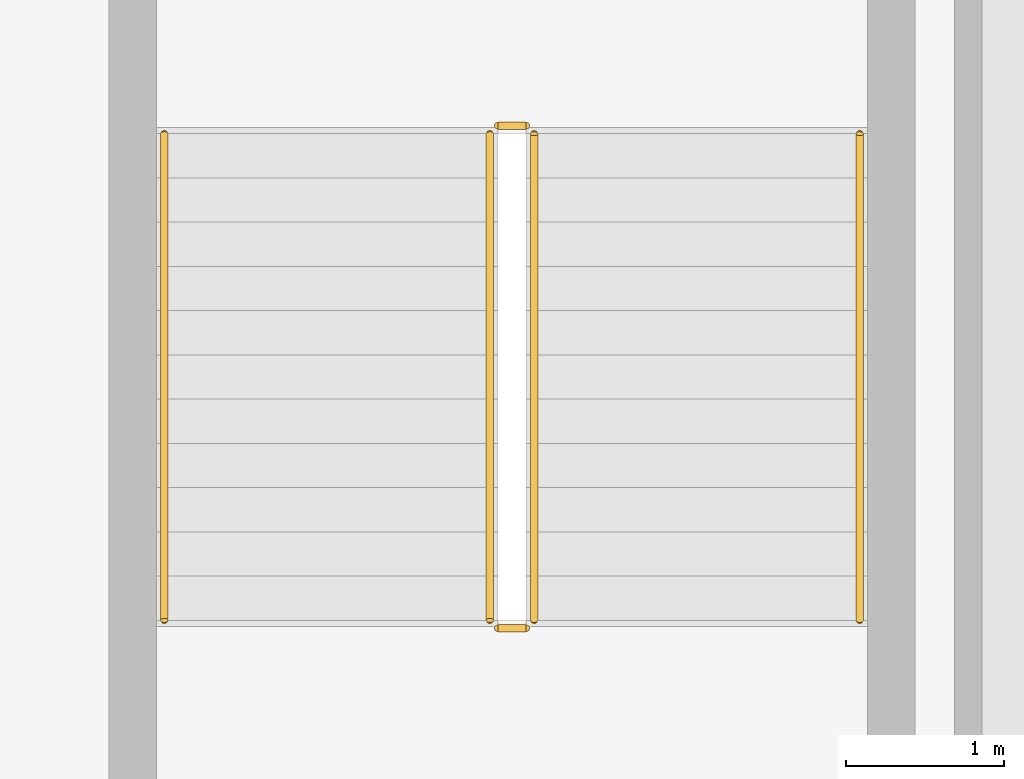
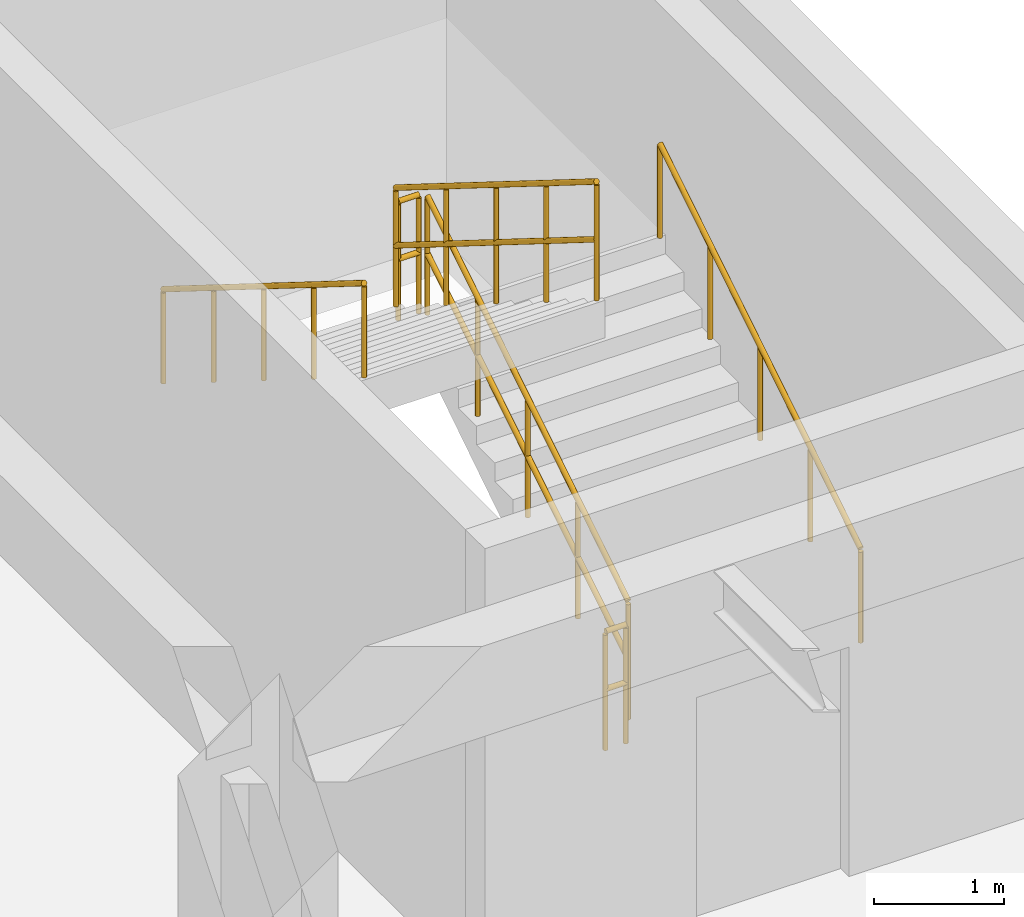
# One storey, part 97 of 100: 6 railings.
"""IFC4 building model written with IfcOpenShell, lengths in metres."""

import ifcopenshell
import ifcopenshell.guid

model = None  # the IFC model being written
_history = None  # IfcOwnerHistory: only IFC2X3 demands one
_inside = {}  # id of a spatial element -> (the spatial element, [elements in it])
_under = {}  # id of a project, library or spatial element -> (it, [spatial elements below it])
_declared = {}  # id of a project -> (the project, [libraries it declares])
_typed = {}  # id of a type object -> (the type object, [elements of that type])
_made_of = {}  # id of a material, layer set ... -> (it, [elements and type objects made of it])


def new_model(schema):
    """Start an empty IFC model of exactly this schema.

    Asked for "IFC4X3", IfcOpenShell would pick the latest addendum, in which some entities
    have other attributes; the version numbers below select the first issue.
    IFC2X3 requires an IfcOwnerHistory on every rooted entity: one is made here for all.
    """
    global model, _history
    if schema == "IFC4X3":
        model = ifcopenshell.file(schema_version=(4, 3, 0, 0))
    else:
        model = ifcopenshell.file(schema=schema)
    _inside.clear()
    _under.clear()
    _declared.clear()
    _typed.clear()
    _made_of.clear()
    _history = None
    if model.schema == "IFC2X3":
        org = make("IfcOrganization", Name="unknown")
        user = make(
            "IfcPersonAndOrganization",
            ThePerson=make("IfcPerson", FamilyName="unknown"),
            TheOrganization=org,
        )
        app = make(
            "IfcApplication",
            ApplicationDeveloper=org,
            Version="unknown",
            ApplicationFullName="unknown",
            ApplicationIdentifier="unknown",
        )
        _history = make(
            "IfcOwnerHistory",
            OwningUser=user,
            OwningApplication=app,
            ChangeAction="ADDED",
            CreationDate=0,
        )
    return model


def make(cls, **values):
    """One entity of the class cls with the attributes given. An attribute that is None is left unset."""
    return model.create_entity(
        cls, **{name: value for name, value in values.items() if value is not None}
    )


def rooted(cls, **values):
    """An entity with a GlobalId (a new one), such as an element, a storey or a relation."""
    return make(cls, GlobalId=ifcopenshell.guid.new(), OwnerHistory=_history, **values)


def si_unit(unit_type, name, prefix=None):
    """IfcSIUnit, for example si_unit("LENGTHUNIT", "METRE", prefix="MILLI")."""
    return make("IfcSIUnit", UnitType=unit_type, Prefix=prefix, Name=name)


def assignment(units):
    """IfcUnitAssignment: the units of a project."""
    return None if units is None else make("IfcUnitAssignment", Units=units)


def point(xyz):
    """IfcCartesianPoint."""
    return None if xyz is None else make("IfcCartesianPoint", Coordinates=xyz)


def direction(xyz):
    """IfcDirection."""
    return None if xyz is None else make("IfcDirection", DirectionRatios=xyz)


def frame(location, z_axis=None, x_axis=None):
    """IfcAxis2Placement3D, a coordinate frame: its origin and axes. An axis left out is left unset."""
    return make(
        "IfcAxis2Placement3D",
        Location=point(location),
        Axis=direction(z_axis),
        RefDirection=direction(x_axis),
    )


def frame_2d(location, x_axis=None):
    """IfcAxis2Placement2D, a coordinate frame in the plane: its origin and x axis."""
    return make(
        "IfcAxis2Placement2D", Location=point(location), RefDirection=direction(x_axis)
    )


def origin():
    """The frame at (0, 0, 0) with its axes left unset."""
    return frame((0.0, 0.0, 0.0))


def origin_2d():
    """The frame at (0, 0) in the plane with its x axis left unset."""
    return frame_2d((0.0, 0.0))


def place(relative_to, where):
    """IfcLocalPlacement: puts the frame where relative to a parent placement (None: the world)."""
    return make(
        "IfcLocalPlacement", PlacementRelTo=relative_to, RelativePlacement=where
    )


def context(
    kind, dimensions, precision=None, world=None, true_north=None, identifier=None
):
    """IfcGeometricRepresentationContext, for example the 3D "Model" context."""
    return make(
        "IfcGeometricRepresentationContext",
        ContextIdentifier=identifier,
        ContextType=kind,
        CoordinateSpaceDimension=dimensions,
        Precision=precision,
        WorldCoordinateSystem=world,
        TrueNorth=true_north,
    )


def subcontext(parent, identifier, kind, view, scale=None):
    """IfcGeometricRepresentationSubContext, for example "Body" below "Model"."""
    return make(
        "IfcGeometricRepresentationSubContext",
        ContextIdentifier=identifier,
        ContextType=kind,
        ParentContext=parent,
        TargetScale=scale,
        TargetView=view,
    )


def project(units=None, contexts=None):
    """IfcProject with its units and contexts."""
    return rooted(
        "IfcProject",
        Name="project",
        RepresentationContexts=contexts,
        UnitsInContext=assignment(units),
    )


def spatial(cls, under=None, at=None, **own):
    """A site, building, storey or space (cls), placed at a placement, below another one or the project."""
    s = rooted(cls, ObjectPlacement=at, **own)
    if under is not None:
        _under.setdefault(under.id(), (under, []))[1].append(s)
    return s


def profile(cls, at=None, kind="AREA", **sizes):
    """A parametric profile (cls). Its sizes go by their IFC names, for example OverallWidth=200.0."""
    return make(cls, ProfileType=kind, Position=at, **sizes)


def circle(**sizes):
    """IfcCircleProfileDef."""
    return profile("IfcCircleProfileDef", **sizes)


def extrude(swept, where, along, depth):
    """IfcExtrudedAreaSolid: the profile swept, set in the frame where, extruded along a direction by depth."""
    return make(
        "IfcExtrudedAreaSolid",
        SweptArea=swept,
        Position=where,
        ExtrudedDirection=direction(along),
        Depth=depth,
    )


def shape(context_of_items, identifier, shape_type, items):
    """IfcShapeRepresentation: the items that make up one representation, for example the "Body"."""
    return make(
        "IfcShapeRepresentation",
        ContextOfItems=context_of_items,
        RepresentationIdentifier=identifier,
        RepresentationType=shape_type,
        Items=items,
    )


def material(Name=None, Category=None):
    """IfcMaterial."""
    return make("IfcMaterial", Name=Name, Category=Category)


def layer(
    of_material, thickness, ventilated=None, Name=None, Category=None, Priority=None
):
    """IfcMaterialLayer: one layer of a wall or slab, of a material (None: an air gap)."""
    return make(
        "IfcMaterialLayer",
        Material=of_material,
        LayerThickness=thickness,
        IsVentilated=ventilated,
        Name=Name,
        Category=Category,
        Priority=Priority,
    )


def layer_set(layers, Name=None):
    """IfcMaterialLayerSet."""
    return make("IfcMaterialLayerSet", MaterialLayers=layers, LayerSetName=Name)


def made_of(thing, what):
    """Note that an element or type object is made of a material, layer set ...; save() writes the relation."""
    if what is not None:
        _made_of.setdefault(what.id(), (what, []))[1].append(thing)
    return thing


def type_object(cls, material=None, **own):
    """A type object (cls), such as IfcWallType, which elements share."""
    return made_of(rooted(cls, **own), material)


def element(
    cls,
    number,
    at=None,
    inside=None,
    cuts=None,
    type_object=None,
    material=None,
    context=None,
    identifier="Body",
    shape_type=None,
    held_by="IfcProductDefinitionShape",
    body=None,
    shapes=None,
    **own,
):
    """One element of the class cls, such as IfcWall. Its Tag is "e" and its number.

    at: its placement. inside: the storey or other place that contains it. cuts: it is an
    opening in that element (IfcRelVoidsElement). A single representation is given by context,
    identifier, shape_type and body (its items); several are given by shapes. held_by: the class
    of the entity that holds the representations. save() writes the other relations.
    """
    e = rooted(cls, Tag="e%d" % number, ObjectPlacement=at, **own)
    if body is not None:
        shapes = [shape(context, identifier, shape_type, body)]
    if shapes is not None:
        e.Representation = make(held_by, Representations=shapes)
    if inside is not None:
        _inside.setdefault(inside.id(), (inside, []))[1].append(e)
    if cuts is not None:
        rooted(
            "IfcRelVoidsElement", RelatingBuildingElement=cuts, RelatedOpeningElement=e
        )
    if type_object is not None:
        _typed.setdefault(type_object.id(), (type_object, []))[1].append(e)
    return made_of(e, material)


def aggregate(whole, parts):
    """IfcRelAggregates: a whole, such as a stair, and the parts it consists of."""
    return rooted("IfcRelAggregates", RelatingObject=whole, RelatedObjects=parts)


def save(model, path):
    """Write the relations noted so far, then the file.

    IfcRelAggregates (storeys below a building ...), IfcRelContainedInSpatialStructure (elements
    in a storey), IfcRelDefinesByType, IfcRelAssociatesMaterial and IfcRelDeclares: one each for
    every whole, place, type object, material and project.
    """
    for whole, parts in _under.values():
        aggregate(whole, parts)
    for where, things in _inside.values():
        rooted(
            "IfcRelContainedInSpatialStructure",
            RelatedElements=things,
            RelatingStructure=where,
        )
    for kind, things in _typed.values():
        rooted("IfcRelDefinesByType", RelatedObjects=things, RelatingType=kind)
    for what, things in _made_of.values():
        rooted("IfcRelAssociatesMaterial", RelatedObjects=things, RelatingMaterial=what)
    for by, libraries in _declared.values():
        rooted("IfcRelDeclares", RelatingContext=by, RelatedDefinitions=libraries)
    model.write(path)


model = new_model("IFC4")

# Units and contexts
model_context = context("Model", 3, precision=1e-05, world=origin(), true_north=direction((0.0, 1.0)))
body_context = subcontext(model_context, "Body", "Model", "MODEL_VIEW")
ifc_project = project(units=[si_unit("LENGTHUNIT", "METRE"), si_unit("AREAUNIT", "SQUARE_METRE"), si_unit("VOLUMEUNIT", "CUBIC_METRE"), si_unit("PLANEANGLEUNIT", "RADIAN"), si_unit("MASSUNIT", "GRAM", prefix="KILO")], contexts=[model_context])

# Site, building, storey
site_placement = place(None, origin())
site = spatial("IfcSite", under=ifc_project, at=site_placement, CompositionType="ELEMENT")
building_placement = place(site_placement, origin())
building = spatial("IfcBuilding", under=site, at=building_placement, Name="Kivolera Central Railway Station", CompositionType="ELEMENT")
storey_placement = place(building_placement, frame((0.0, 0.0, 5.39990234375)))
storey = spatial("IfcBuildingStorey", under=building, at=storey_placement, Name="L01", CompositionType="ELEMENT", Elevation=5.39990234375)

# Railings
ifc_material = material(Name="Anodised aluminium", Category="aluminium")
ifc_layer_1 = layer(ifc_material, 0.048095703125, Name="Anodised aluminium")
ifc_layer_set_1 = layer_set([ifc_layer_1], Name="Anodised aluminium")
railing_type_1 = type_object("IfcRailingType", Name="RL-STAIR-GUARD", PredefinedType="GUARDRAIL", material=ifc_layer_set_1)
railing_1_placement = place(storey_placement, frame((192.989990234375, 92.9599609375, 0.175048828125)))
element("IfcRailing", 1, at=railing_1_placement, inside=storey, type_object=railing_type_1, Name="L01 ST11 stair guard 1", PredefinedType="GUARDRAIL", context=body_context, shape_type="SweptSolid", body=[
    extrude(circle(Radius=0.02392578125, at=origin_2d()), frame((0.0, 0.0, 1.10595703125), z_axis=(0.0, 0.847998304005, 0.529998940003), x_axis=(-1.0, 0.0, 0.0)), (0.0, 0.0, 1.0), 3.632080078125),
    extrude(circle(Radius=0.02392578125, at=origin_2d()), frame((0.0, 0.0, 0.56494140625), z_axis=(0.0, 0.847998304005, 0.529998940003), x_axis=(-1.0, 0.0, 0.0)), (0.0, 0.0, 1.0), 3.632080078125),
    extrude(circle(Radius=0.02099609375, at=origin_2d()), origin(), (0.0, 0.0, 1.0), 1.081787109375),
    extrude(circle(Radius=0.02099609375, at=origin_2d()), frame((0.0, 0.77001953125, 0.481201171875)), (0.0, 0.0, 1.0), 1.081787109375),
    extrude(circle(Radius=0.02099609375, at=origin_2d()), frame((0.0, 1.5400390625, 0.96240234375)), (0.0, 0.0, 1.0), 1.081787109375),
    extrude(circle(Radius=0.02099609375, at=origin_2d()), frame((0.0, 2.31005859375, 1.44384765625)), (0.0, 0.0, 1.0), 1.081787109375),
    extrude(circle(Radius=0.02099609375, at=origin_2d()), frame((0.0, 3.080078125, 1.925048828125)), (0.0, 0.0, 1.0), 1.081787109375),
])
railing_2_placement = place(storey_placement, frame((192.93994140625, 96.090087890625, 2.10009765625)))
element("IfcRailing", 2, at=railing_2_placement, inside=storey, type_object=railing_type_1, Name="L01 ST11 stair guard 2", PredefinedType="GUARDRAIL", context=body_context, shape_type="SweptSolid", body=[
    extrude(circle(Radius=0.02392578125, at=origin_2d()), frame((0.0, 0.0, 1.10595703125), z_axis=(-1.0, 0.0, 0.0), x_axis=(0.0, -1.0, 0.0)), (0.0, 0.0, 1.0), 0.179931640625),
    extrude(circle(Radius=0.02392578125, at=origin_2d()), frame((0.0, 0.0, 0.56494140625), z_axis=(-1.0, 0.0, 0.0), x_axis=(0.0, -1.0, 0.0)), (0.0, 0.0, 1.0), 0.179931640625),
    extrude(circle(Radius=0.02099609375, at=origin_2d()), origin(), (0.0, 0.0, 1.0), 1.081787109375),
    extrude(circle(Radius=0.02099609375, at=origin_2d()), frame((-0.179931640625, 0.0, 0.0)), (0.0, 0.0, 1.0), 1.081787109375),
])
railing_3_placement = place(storey_placement, frame((192.7099609375, 96.0400390625, 2.275146484375)))
element("IfcRailing", 3, at=railing_3_placement, inside=storey, type_object=railing_type_1, Name="L01 ST11 stair guard 3", PredefinedType="GUARDRAIL", context=body_context, shape_type="SweptSolid", body=[
    extrude(circle(Radius=0.02392578125, at=origin_2d()), frame((0.0, 0.0, 1.10595703125), z_axis=(0.0, -0.847998304005, 0.529998940003), x_axis=(1.0, 0.0, 0.0)), (0.0, 0.0, 1.0), 3.632080078125),
    extrude(circle(Radius=0.02392578125, at=origin_2d()), frame((0.0, 0.0, 0.56494140625), z_axis=(0.0, -0.847998304005, 0.529998940003), x_axis=(1.0, 0.0, 0.0)), (0.0, 0.0, 1.0), 3.632080078125),
    extrude(circle(Radius=0.02099609375, at=origin_2d()), origin(), (0.0, 0.0, 1.0), 1.081787109375),
    extrude(circle(Radius=0.02099609375, at=origin_2d()), frame((0.0, -0.77001953125, 0.481201171875)), (0.0, 0.0, 1.0), 1.081787109375),
    extrude(circle(Radius=0.02099609375, at=origin_2d()), frame((0.0, -1.5400390625, 0.96240234375)), (0.0, 0.0, 1.0), 1.081787109375),
    extrude(circle(Radius=0.02099609375, at=origin_2d()), frame((0.0, -2.31005859375, 1.44384765625)), (0.0, 0.0, 1.0), 1.081787109375),
    extrude(circle(Radius=0.02099609375, at=origin_2d()), frame((0.0, -3.080078125, 1.925048828125)), (0.0, 0.0, 1.0), 1.081787109375),
])
railing_4_placement = place(storey_placement, frame((192.93994140625, 92.909912109375, 0.0)))
element("IfcRailing", 4, at=railing_4_placement, inside=storey, type_object=railing_type_1, Name="L01 ST11 stair guard 4", PredefinedType="GUARDRAIL", context=body_context, shape_type="SweptSolid", body=[
    extrude(circle(Radius=0.02392578125, at=origin_2d()), frame((0.0, 0.0, 1.10595703125), z_axis=(-1.0, 0.0, 0.0), x_axis=(0.0, -1.0, 0.0)), (0.0, 0.0, 1.0), 0.179931640625),
    extrude(circle(Radius=0.02392578125, at=origin_2d()), frame((0.0, 0.0, 0.56494140625), z_axis=(-1.0, 0.0, 0.0), x_axis=(0.0, -1.0, 0.0)), (0.0, 0.0, 1.0), 0.179931640625),
    extrude(circle(Radius=0.02099609375, at=origin_2d()), origin(), (0.0, 0.0, 1.0), 1.081787109375),
    extrude(circle(Radius=0.02099609375, at=origin_2d()), frame((-0.179931640625, 0.0, 0.0)), (0.0, 0.0, 1.0), 1.081787109375),
])
ifc_layer_2 = layer(ifc_material, 0.048095703125, Name="Anodised aluminium")
ifc_layer_set_2 = layer_set([ifc_layer_2], Name="Anodised aluminium")
railing_type_2 = type_object("IfcRailingType", Name="RL-STAIR-HAND", PredefinedType="HANDRAIL", material=ifc_layer_set_2)
railing_5_placement = place(storey_placement, frame((195.050048828125, 92.9599609375, 0.175048828125)))
element("IfcRailing", 5, at=railing_5_placement, inside=storey, type_object=railing_type_2, Name="L01 ST11 stair handrail 1", PredefinedType="HANDRAIL", context=body_context, shape_type="SweptSolid", body=[
    extrude(circle(Radius=0.02392578125, at=origin_2d()), frame((0.0, 0.0, 0.8759765625), z_axis=(0.0, 0.847998304005, 0.529998940003), x_axis=(-1.0, 0.0, 0.0)), (0.0, 0.0, 1.0), 3.632080078125),
    extrude(circle(Radius=0.02099609375, at=origin_2d()), origin(), (0.0, 0.0, 1.0), 0.851806640625),
    extrude(circle(Radius=0.02099609375, at=origin_2d()), frame((0.0, 0.77001953125, 0.481201171875)), (0.0, 0.0, 1.0), 0.851806640625),
    extrude(circle(Radius=0.02099609375, at=origin_2d()), frame((0.0, 1.5400390625, 0.96240234375)), (0.0, 0.0, 1.0), 0.851806640625),
    extrude(circle(Radius=0.02099609375, at=origin_2d()), frame((0.0, 2.31005859375, 1.44384765625)), (0.0, 0.0, 1.0), 0.851806640625),
    extrude(circle(Radius=0.02099609375, at=origin_2d()), frame((0.0, 3.080078125, 1.925048828125)), (0.0, 0.0, 1.0), 0.851806640625),
])
railing_6_placement = place(storey_placement, frame((190.64990234375, 96.0400390625, 2.275146484375)))
element("IfcRailing", 6, at=railing_6_placement, inside=storey, type_object=railing_type_2, Name="L01 ST11 stair handrail 2", PredefinedType="HANDRAIL", context=body_context, shape_type="SweptSolid", body=[
    extrude(circle(Radius=0.02392578125, at=origin_2d()), frame((0.0, 0.0, 0.8759765625), z_axis=(0.0, -0.847998304005, 0.529998940003), x_axis=(1.0, 0.0, 0.0)), (0.0, 0.0, 1.0), 3.632080078125),
    extrude(circle(Radius=0.02099609375, at=origin_2d()), origin(), (0.0, 0.0, 1.0), 0.851806640625),
    extrude(circle(Radius=0.02099609375, at=origin_2d()), frame((0.0, -0.77001953125, 0.481201171875)), (0.0, 0.0, 1.0), 0.851806640625),
    extrude(circle(Radius=0.02099609375, at=origin_2d()), frame((0.0, -1.5400390625, 0.96240234375)), (0.0, 0.0, 1.0), 0.851806640625),
    extrude(circle(Radius=0.02099609375, at=origin_2d()), frame((0.0, -2.31005859375, 1.44384765625)), (0.0, 0.0, 1.0), 0.851806640625),
    extrude(circle(Radius=0.02099609375, at=origin_2d()), frame((0.0, -3.080078125, 1.925048828125)), (0.0, 0.0, 1.0), 0.851806640625),
])

save(model, "model.ifc")
